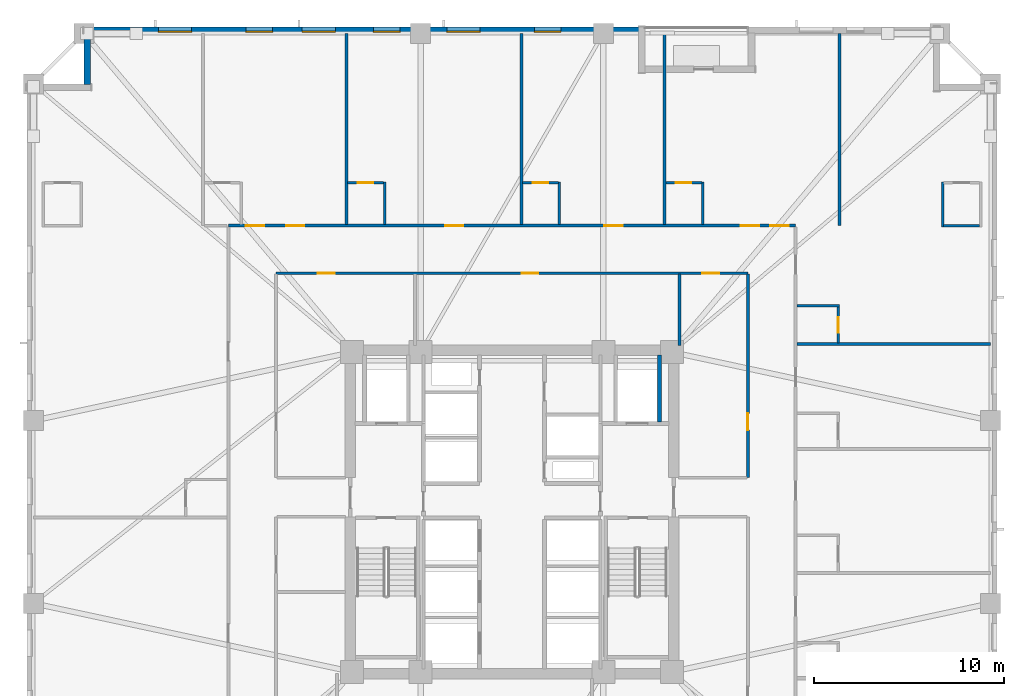
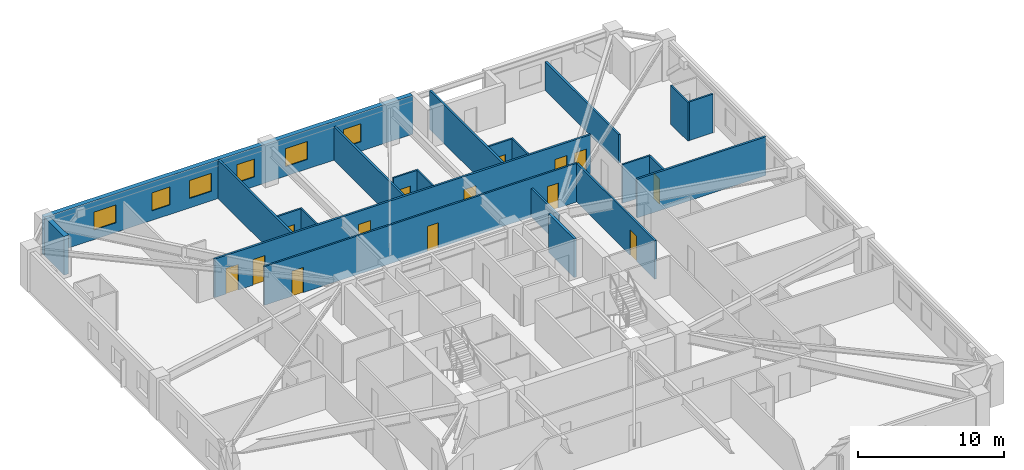
# One storey, part 6 of 11: 22 walls, 14 doors, 6 windows, 20 openings.
"""IFC4 building model written with IfcOpenShell, lengths in metres."""

from ifc_helpers import new_model, si_unit, direction, frame, frame_2d, origin, place, context, subcontext, project, spatial, rectangle, extrude, material, layer, layer_set, type_object, element, fill, save


model = new_model("IFC4")

# Units and contexts
model_context = context("Model", 3, precision=1e-05, world=origin(), true_north=direction((0.0, 1.0)))
body_context = subcontext(model_context, "Body", "Model", "MODEL_VIEW")
ifc_project = project(units=[si_unit("LENGTHUNIT", "METRE"), si_unit("AREAUNIT", "SQUARE_METRE"), si_unit("VOLUMEUNIT", "CUBIC_METRE"), si_unit("PLANEANGLEUNIT", "RADIAN"), si_unit("MASSUNIT", "GRAM", prefix="KILO")], contexts=[model_context])

# Site, building, storey
site_placement = place(None, origin())
site = spatial("IfcSite", under=ifc_project, at=site_placement, CompositionType="ELEMENT")
building_placement = place(site_placement, origin())
building = spatial("IfcBuilding", under=site, at=building_placement, Name="Cairnveth Concourse Tower", CompositionType="ELEMENT")
storey_placement = place(building_placement, frame((0.0, 0.0, 93.5)))
storey = spatial("IfcBuildingStorey", under=building, at=storey_placement, Name="L25", CompositionType="ELEMENT", Elevation=93.5)

# Wall, openings, doors
ifc_material_1 = material(Name="Gypsum Plasterboard Partition", Category="gypsum")
ifc_layer_1 = layer(ifc_material_1, 0.159912109375)
ifc_layer_set_1 = layer_set([ifc_layer_1], Name="Gypsum Plasterboard Partition")
wall_type_1 = type_object("IfcWallType", Name="ACOUSTIC PARTY WALL 180", PredefinedType="PARTITIONING", material=ifc_layer_set_1)
wall_1_placement = place(storey_placement, frame((37.10009765625, 54.050048828125, 0.0), z_axis=(0.0, 0.0, 1.0), x_axis=(1.0, 0.0, 0.0)))
wall_1 = element("IfcWall", 1, at=wall_1_placement, inside=storey, type_object=wall_type_1, Name="Interior Wall IW-L25-038", PredefinedType="PARTITIONING", context=body_context, shape_type="SweptSolid", body=[
    extrude(rectangle(XDim=29.7998046875, YDim=0.159912109375, at=frame_2d((14.89990234375, 0.0))), origin(), (0.0, 0.0, 1.0), 3.239990234375),
])
opening_1_placement = place(wall_1_placement, frame((0.909912109375, 0.0, 0.0)))
opening_1 = element("IfcOpeningElement", 2, at=opening_1_placement, cuts=wall_1, Name="Opening ID09", PredefinedType="OPENING", context=body_context, shape_type="SweptSolid", body=[
    extrude(rectangle(XDim=0.9599609375, YDim=2.14990234375, at=frame_2d((0.47998046875, 1.074951171875))), frame((0.0, 0.08984375, 0.0), z_axis=(0.0, -1.0, 0.0), x_axis=(1.0, 0.0, 0.0)), (0.0, 0.0, 1.0), 0.179931640625),
])
opening_2_placement = place(wall_1_placement, frame((3.030029296875, 0.0, 0.0)))
opening_2 = element("IfcOpeningElement", 3, at=opening_2_placement, cuts=wall_1, Name="Opening ID09", PredefinedType="OPENING", context=body_context, shape_type="SweptSolid", body=[
    extrude(rectangle(XDim=0.9599609375, YDim=2.14990234375, at=frame_2d((0.47998046875, 1.074951171875))), frame((0.0, 0.08984375, 0.0), z_axis=(0.0, -1.0, 0.0), x_axis=(1.0, 0.0, 0.0)), (0.0, 0.0, 1.0), 0.179931640625),
])
opening_3_placement = place(wall_1_placement, frame((11.389892578125, 0.0, 0.0)))
opening_3 = element("IfcOpeningElement", 4, at=opening_3_placement, cuts=wall_1, Name="Opening ID09", PredefinedType="OPENING", context=body_context, shape_type="SweptSolid", body=[
    extrude(rectangle(XDim=0.9599609375, YDim=2.14990234375, at=frame_2d((0.47998046875, 1.074951171875))), frame((0.0, 0.08984375, 0.0), z_axis=(0.0, -1.0, 0.0), x_axis=(1.0, 0.0, 0.0)), (0.0, 0.0, 1.0), 0.179931640625),
])
opening_4_placement = place(wall_1_placement, frame((19.75, 0.0, 0.0)))
opening_4 = element("IfcOpeningElement", 5, at=opening_4_placement, cuts=wall_1, Name="Opening ID09", PredefinedType="OPENING", context=body_context, shape_type="SweptSolid", body=[
    extrude(rectangle(XDim=0.9599609375, YDim=2.14990234375, at=frame_2d((0.47998046875, 1.074951171875))), frame((0.0, 0.08984375, 0.0), z_axis=(0.0, -1.0, 0.0), x_axis=(1.0, 0.0, 0.0)), (0.0, 0.0, 1.0), 0.179931640625),
])
opening_5_placement = place(wall_1_placement, frame((26.931396484375, 0.0, 0.0)))
opening_5 = element("IfcOpeningElement", 6, at=opening_5_placement, cuts=wall_1, Name="Opening ID09", PredefinedType="OPENING", context=body_context, shape_type="SweptSolid", body=[
    extrude(rectangle(XDim=0.9599609375, YDim=2.14990234375, at=frame_2d((0.47998046875, 1.074951171875))), frame((0.0, 0.08984375, 0.0), z_axis=(0.0, -1.0, 0.0), x_axis=(1.0, 0.0, 0.0)), (0.0, 0.0, 1.0), 0.179931640625),
])
opening_6_placement = place(wall_1_placement, frame((28.47998046875, 0.0, 0.0)))
opening_6 = element("IfcOpeningElement", 7, at=opening_6_placement, cuts=wall_1, Name="Opening ID09", PredefinedType="OPENING", context=body_context, shape_type="SweptSolid", body=[
    extrude(rectangle(XDim=0.9599609375, YDim=2.14990234375, at=frame_2d((0.47998046875, 1.074951171875))), frame((0.0, 0.08984375, 0.0), z_axis=(0.0, -1.0, 0.0), x_axis=(1.0, 0.0, 0.0)), (0.0, 0.0, 1.0), 0.179931640625),
])
ifc_material_2 = material(Name="Solid Core Hardwood Timber Leaf", Category="wood")
door_type_1 = type_object("IfcDoorType", Name="HOTEL ENTRANCE DOOR 960X2150", OperationType="NOTDEFINED", PredefinedType="DOOR", material=ifc_material_2)
door_1_placement = place(opening_1_placement, origin())
door_1 = element("IfcDoor", 8, at=door_1_placement, inside=storey, type_object=door_type_1, Name="Hotel Room Door L25-N1", OperationType="SINGLE_SWING_LEFT", OverallHeight=2.14990234375, OverallWidth=0.9599609375, PredefinedType="DOOR", context=body_context, shape_type="SweptSolid", body=[
    extrude(rectangle(XDim=0.9599609375, YDim=2.14990234375, at=frame_2d((0.47998046875, 1.074951171875))), frame((0.0, 0.02490234375, 0.0), z_axis=(0.0, -1.0, 0.0), x_axis=(1.0, 0.0, 0.0)), (0.0, 0.0, 1.0), 0.050048828125),
])
fill(opening_1, door_1)
door_2_placement = place(opening_2_placement, origin())
door_2 = element("IfcDoor", 9, at=door_2_placement, inside=storey, type_object=door_type_1, Name="Hotel Room Door L25-N2", OperationType="SINGLE_SWING_LEFT", OverallHeight=2.14990234375, OverallWidth=0.9599609375, PredefinedType="DOOR", context=body_context, shape_type="SweptSolid", body=[
    extrude(rectangle(XDim=0.9599609375, YDim=2.14990234375, at=frame_2d((0.47998046875, 1.074951171875))), frame((0.0, 0.02490234375, 0.0), z_axis=(0.0, -1.0, 0.0), x_axis=(1.0, 0.0, 0.0)), (0.0, 0.0, 1.0), 0.050048828125),
])
fill(opening_2, door_2)
door_3_placement = place(opening_3_placement, origin())
door_3 = element("IfcDoor", 10, at=door_3_placement, inside=storey, type_object=door_type_1, Name="Hotel Room Door L25-N3", OperationType="SINGLE_SWING_LEFT", OverallHeight=2.14990234375, OverallWidth=0.9599609375, PredefinedType="DOOR", context=body_context, shape_type="SweptSolid", body=[
    extrude(rectangle(XDim=0.9599609375, YDim=2.14990234375, at=frame_2d((0.47998046875, 1.074951171875))), frame((0.0, 0.02490234375, 0.0), z_axis=(0.0, -1.0, 0.0), x_axis=(1.0, 0.0, 0.0)), (0.0, 0.0, 1.0), 0.050048828125),
])
fill(opening_3, door_3)
door_4_placement = place(opening_4_placement, origin())
door_4 = element("IfcDoor", 11, at=door_4_placement, inside=storey, type_object=door_type_1, Name="Hotel Room Door L25-N4", OperationType="SINGLE_SWING_LEFT", OverallHeight=2.14990234375, OverallWidth=0.9599609375, PredefinedType="DOOR", context=body_context, shape_type="SweptSolid", body=[
    extrude(rectangle(XDim=0.9599609375, YDim=2.14990234375, at=frame_2d((0.47998046875, 1.074951171875))), frame((0.0, 0.02490234375, 0.0), z_axis=(0.0, -1.0, 0.0), x_axis=(1.0, 0.0, 0.0)), (0.0, 0.0, 1.0), 0.050048828125),
])
fill(opening_4, door_4)
door_5_placement = place(opening_5_placement, origin())
door_5 = element("IfcDoor", 12, at=door_5_placement, inside=storey, type_object=door_type_1, Name="Hotel Room Door L25-N5", OperationType="SINGLE_SWING_LEFT", OverallHeight=2.14990234375, OverallWidth=0.9599609375, PredefinedType="DOOR", context=body_context, shape_type="SweptSolid", body=[
    extrude(rectangle(XDim=0.9599609375, YDim=2.14990234375, at=frame_2d((0.47998046875, 1.074951171875))), frame((0.0, 0.02490234375, 0.0), z_axis=(0.0, -1.0, 0.0), x_axis=(1.0, 0.0, 0.0)), (0.0, 0.0, 1.0), 0.050048828125),
])
fill(opening_5, door_5)
door_6_placement = place(opening_6_placement, origin())
door_6 = element("IfcDoor", 13, at=door_6_placement, inside=storey, type_object=door_type_1, Name="Hotel Room Door L25-N6", OperationType="SINGLE_SWING_LEFT", OverallHeight=2.14990234375, OverallWidth=0.9599609375, PredefinedType="DOOR", context=body_context, shape_type="SweptSolid", body=[
    extrude(rectangle(XDim=0.9599609375, YDim=2.14990234375, at=frame_2d((0.47998046875, 1.074951171875))), frame((0.0, 0.02490234375, 0.0), z_axis=(0.0, -1.0, 0.0), x_axis=(1.0, 0.0, 0.0)), (0.0, 0.0, 1.0), 0.050048828125),
])
fill(opening_6, door_6)

# Walls
wall_2_placement = place(storey_placement, frame((43.302490234375, 54.114990234375, 0.0), z_axis=(0.0, 0.0, 1.0), x_axis=(0.0, 1.0, 0.0)))
element("IfcWall", 14, at=wall_2_placement, inside=storey, type_object=wall_type_1, Name="Interior Wall IW-L25-074", PredefinedType="PARTITIONING", context=body_context, shape_type="SweptSolid", body=[
    extrude(rectangle(XDim=10.0400390625, YDim=0.159912109375, at=frame_2d((5.02001953125, 0.0))), origin(), (0.0, 0.0, 1.0), 3.239990234375),
])
wall_3_placement = place(storey_placement, frame((52.487548828125, 54.114990234375, 0.0), z_axis=(0.0, 0.0, 1.0), x_axis=(0.0, 1.0, 0.0)))
element("IfcWall", 15, at=wall_3_placement, inside=storey, type_object=wall_type_1, Name="Interior Wall IW-L25-077", PredefinedType="PARTITIONING", context=body_context, shape_type="SweptSolid", body=[
    extrude(rectangle(XDim=10.0400390625, YDim=0.159912109375, at=frame_2d((5.02001953125, 0.0))), origin(), (0.0, 0.0, 1.0), 2.80908203125),
])
wall_4_placement = place(storey_placement, frame((60.0224609375, 54.114990234375, 0.0), z_axis=(0.0, 0.0, 1.0), x_axis=(0.0, 1.0, 0.0)))
element("IfcWall", 16, at=wall_4_placement, inside=storey, type_object=wall_type_1, Name="Interior Wall IW-L25-080", PredefinedType="PARTITIONING", context=body_context, shape_type="SweptSolid", body=[
    extrude(rectangle(XDim=9.969970703125, YDim=0.159912109375, at=frame_2d((4.98486328125, 0.0))), origin(), (0.0, 0.0, 1.0), 3.239990234375),
])
wall_5_placement = place(storey_placement, frame((69.20751953125, 54.050048828125, 0.0), z_axis=(0.0, 0.0, 1.0), x_axis=(0.0, 1.0, 0.0)))
element("IfcWall", 17, at=wall_5_placement, inside=storey, type_object=wall_type_1, Name="Interior Wall IW-L25-083", PredefinedType="PARTITIONING", context=body_context, shape_type="SweptSolid", body=[
    extrude(rectangle(XDim=10.10498046875, YDim=0.159912109375, at=frame_2d((5.052490234375, 0.0))), origin(), (0.0, 0.0, 1.0), 2.39892578125),
])
wall_6_placement = place(storey_placement, frame((66.965087890625, 47.827392578125, 0.0), z_axis=(0.0, 0.0, 1.0), x_axis=(1.0, 0.0, 0.0)))
element("IfcWall", 18, at=wall_6_placement, inside=storey, type_object=wall_type_1, Name="Interior Wall IW-L25-106", PredefinedType="PARTITIONING", context=body_context, shape_type="SweptSolid", body=[
    extrude(rectangle(XDim=10.18994140625, YDim=0.159912109375, at=frame_2d((5.094970703125, 0.0))), origin(), (0.0, 0.0, 1.0), 3.239990234375),
])
ifc_material_3 = material(Name="Concrete N50 (50 MPa)", Category="concrete")
ifc_layer_2 = layer(ifc_material_3, 0.199951171875)
ifc_layer_set_2 = layer_set([ifc_layer_2], Name="Concrete N50 (50 MPa)")
wall_type_2 = type_object("IfcWallType", Name="FIRE SHAFT WALL 200", PredefinedType="SOLIDWALL", material=ifc_layer_set_2)
wall_7_placement = place(storey_placement, frame((59.75, 43.735107421875, 0.0), z_axis=(0.0, 0.0, 1.0), x_axis=(0.0, 1.0, 0.0)))
element("IfcWall", 19, at=wall_7_placement, inside=storey, type_object=wall_type_2, Name="Interior Wall IW-L25-024", PredefinedType="SOLIDWALL", context=body_context, shape_type="SweptSolid", body=[
    extrude(rectangle(XDim=3.5048828125, YDim=0.199951171875, at=frame_2d((1.75244140625, 0.0))), origin(), (0.0, 0.0, 1.0), 3.239990234375),
])

# Wall, openings, doors
ifc_layer_3 = layer(ifc_material_1, 0.139892578125)
ifc_layer_set_3 = layer_set([ifc_layer_3], Name="Gypsum Plasterboard Partition")
wall_type_3 = type_object("IfcWallType", Name="GYPSUM STUD PARTITION 140", PredefinedType="PARTITIONING", material=ifc_layer_set_3)
wall_8_placement = place(storey_placement, frame((39.60009765625, 51.550048828125, 0.0), z_axis=(0.0, 0.0, 1.0), x_axis=(1.0, 0.0, 0.0)))
wall_8 = element("IfcWall", 20, at=wall_8_placement, inside=storey, type_object=wall_type_3, Name="Interior Wall IW-L25-042", PredefinedType="PARTITIONING", context=body_context, shape_type="SweptSolid", body=[
    extrude(rectangle(XDim=24.7998046875, YDim=0.139892578125, at=frame_2d((12.39990234375, 0.0))), origin(), (0.0, 0.0, 1.0), 3.239990234375),
])
opening_7_placement = place(wall_8_placement, frame((2.199951171875, 0.0, 0.0)))
opening_7 = element("IfcOpeningElement", 21, at=opening_7_placement, cuts=wall_8, Name="Opening ID18", PredefinedType="OPENING", context=body_context, shape_type="SweptSolid", body=[
    extrude(rectangle(XDim=0.8798828125, YDim=2.10009765625, at=frame_2d((0.43994140625, 1.050048828125))), frame((0.0, 0.079833984375, 0.0), z_axis=(0.0, -1.0, 0.0), x_axis=(1.0, 0.0, 0.0)), (0.0, 0.0, 1.0), 0.159912109375),
])
opening_8_placement = place(wall_8_placement, frame((12.89990234375, 0.0, 0.0)))
opening_8 = element("IfcOpeningElement", 22, at=opening_8_placement, cuts=wall_8, Name="Opening ID18", PredefinedType="OPENING", context=body_context, shape_type="SweptSolid", body=[
    extrude(rectangle(XDim=0.8798828125, YDim=2.10009765625, at=frame_2d((0.43994140625, 1.050048828125))), frame((0.0, 0.079833984375, 0.0), z_axis=(0.0, -1.0, 0.0), x_axis=(1.0, 0.0, 0.0)), (0.0, 0.0, 1.0), 0.159912109375),
])
opening_9_placement = place(wall_8_placement, frame((22.39990234375, 0.0, 0.0)))
opening_9 = element("IfcOpeningElement", 23, at=opening_9_placement, cuts=wall_8, Name="Opening ID18", PredefinedType="OPENING", context=body_context, shape_type="SweptSolid", body=[
    extrude(rectangle(XDim=0.8798828125, YDim=2.10009765625, at=frame_2d((0.43994140625, 1.050048828125))), frame((0.0, 0.079833984375, 0.0), z_axis=(0.0, -1.0, 0.0), x_axis=(1.0, 0.0, 0.0)), (0.0, 0.0, 1.0), 0.159912109375),
])
door_type_2 = type_object("IfcDoorType", Name="INTERIOR SINGLE DOOR 880X2100", OperationType="NOTDEFINED", PredefinedType="DOOR", material=ifc_material_2)
door_7_placement = place(opening_7_placement, origin())
door_7 = element("IfcDoor", 24, at=door_7_placement, inside=storey, type_object=door_type_2, Name="Interior Door DR-L25-016", OperationType="SINGLE_SWING_RIGHT", OverallHeight=2.10009765625, OverallWidth=0.8798828125, PredefinedType="DOOR", context=body_context, shape_type="SweptSolid", body=[
    extrude(rectangle(XDim=0.8798828125, YDim=2.10009765625, at=frame_2d((0.43994140625, 1.050048828125))), frame((0.0, 0.02490234375, 0.0), z_axis=(0.0, -1.0, 0.0), x_axis=(1.0, 0.0, 0.0)), (0.0, 0.0, 1.0), 0.050048828125),
])
fill(opening_7, door_7)
door_8_placement = place(opening_8_placement, origin())
door_8 = element("IfcDoor", 25, at=door_8_placement, inside=storey, type_object=door_type_2, Name="Interior Door DR-L25-017", OperationType="SINGLE_SWING_LEFT", OverallHeight=2.10009765625, OverallWidth=0.8798828125, PredefinedType="DOOR", context=body_context, shape_type="SweptSolid", body=[
    extrude(rectangle(XDim=0.8798828125, YDim=2.10009765625, at=frame_2d((0.43994140625, 1.050048828125))), frame((0.0, 0.02490234375, 0.0), z_axis=(0.0, -1.0, 0.0), x_axis=(1.0, 0.0, 0.0)), (0.0, 0.0, 1.0), 0.050048828125),
])
fill(opening_8, door_8)
door_9_placement = place(opening_9_placement, origin())
door_9 = element("IfcDoor", 26, at=door_9_placement, inside=storey, type_object=door_type_2, Name="Interior Door DR-L25-018", OperationType="SINGLE_SWING_RIGHT", OverallHeight=2.10009765625, OverallWidth=0.8798828125, PredefinedType="DOOR", context=body_context, shape_type="SweptSolid", body=[
    extrude(rectangle(XDim=0.8798828125, YDim=2.10009765625, at=frame_2d((0.43994140625, 1.050048828125))), frame((0.0, 0.02490234375, 0.0), z_axis=(0.0, -1.0, 0.0), x_axis=(1.0, 0.0, 0.0)), (0.0, 0.0, 1.0), 0.050048828125),
])
fill(opening_9, door_9)

# Wall, opening, door
wall_9_placement = place(storey_placement, frame((64.39990234375, 40.800048828125, 0.0), z_axis=(0.0, 0.0, 1.0), x_axis=(0.0, 1.0, 0.0)))
wall_9 = element("IfcWall", 27, at=wall_9_placement, inside=storey, type_object=wall_type_3, Name="Interior Wall IW-L25-048", PredefinedType="PARTITIONING", context=body_context, shape_type="SweptSolid", body=[
    extrude(rectangle(XDim=10.695068359375, YDim=0.139892578125, at=frame_2d((5.34765625, 0.0))), origin(), (0.0, 0.0, 1.0), 3.239990234375),
])
opening_10_placement = place(wall_9_placement, frame((2.5, 0.0, 0.0)))
opening_10 = element("IfcOpeningElement", 28, at=opening_10_placement, cuts=wall_9, Name="Opening ID18", PredefinedType="OPENING", context=body_context, shape_type="SweptSolid", body=[
    extrude(rectangle(XDim=0.8798828125, YDim=2.10009765625, at=frame_2d((0.43994140625, 1.050048828125))), frame((0.0, 0.079833984375, 0.0), z_axis=(0.0, -1.0, 0.0), x_axis=(1.0, 0.0, 0.0)), (0.0, 0.0, 1.0), 0.159912109375),
])
door_10_placement = place(opening_10_placement, origin())
door_10 = element("IfcDoor", 29, at=door_10_placement, inside=storey, type_object=door_type_2, Name="Interior Door DR-L25-023", OperationType="SINGLE_SWING_LEFT", OverallHeight=2.10009765625, OverallWidth=0.8798828125, PredefinedType="DOOR", context=body_context, shape_type="SweptSolid", body=[
    extrude(rectangle(XDim=0.8798828125, YDim=2.10009765625, at=frame_2d((0.43994140625, 1.050048828125))), frame((0.0, 0.02490234375, 0.0), z_axis=(0.0, -1.0, 0.0), x_axis=(1.0, 0.0, 0.0)), (0.0, 0.0, 1.0), 0.050048828125),
])
fill(opening_10, door_10)

# Walls
wall_10_placement = place(storey_placement, frame((60.800048828125, 47.760009765625, 0.0), z_axis=(0.0, 0.0, 1.0), x_axis=(0.0, 1.0, 0.0)))
element("IfcWall", 30, at=wall_10_placement, inside=storey, type_object=wall_type_3, Name="Interior Wall IW-L25-054", PredefinedType="PARTITIONING", context=body_context, shape_type="SweptSolid", body=[
    extrude(rectangle(XDim=3.735107421875, YDim=0.139892578125, at=frame_2d((1.86767578125, 0.0))), origin(), (0.0, 0.0, 1.0), 2.39892578125),
])
ifc_layer_4 = layer(ifc_material_1, 0.1298828125)
ifc_layer_set_4 = layer_set([ifc_layer_4], Name="Gypsum Plasterboard Partition")
wall_type_4 = type_object("IfcWallType", Name="WET AREA PARTITION 140", PredefinedType="PLUMBINGWALL", material=ifc_layer_set_4)
wall_11_placement = place(storey_placement, frame((45.302490234375, 54.114990234375, 0.0), z_axis=(0.0, 0.0, 1.0), x_axis=(0.0, 1.0, 0.0)))
element("IfcWall", 31, at=wall_11_placement, inside=storey, type_object=wall_type_4, Name="Interior Wall IW-L25-075", PredefinedType="PLUMBINGWALL", context=body_context, shape_type="SweptSolid", body=[
    extrude(rectangle(XDim=2.235107421875, YDim=0.1298828125, at=frame_2d((1.11767578125, 0.0))), origin(), (0.0, 0.0, 1.0), 3.239990234375),
])

# Wall, opening, door
wall_12_placement = place(storey_placement, frame((43.367431640625, 56.300048828125, 0.0), z_axis=(0.0, 0.0, 1.0), x_axis=(1.0, 0.0, 0.0)))
wall_12 = element("IfcWall", 32, at=wall_12_placement, inside=storey, type_object=wall_type_4, Name="Interior Wall IW-L25-076", PredefinedType="PLUMBINGWALL", context=body_context, shape_type="SweptSolid", body=[
    extrude(rectangle(XDim=1.885009765625, YDim=0.1298828125, at=frame_2d((0.9423828125, 0.0))), origin(), (0.0, 0.0, 1.0), 3.239990234375),
])
opening_11_placement = place(wall_12_placement, frame((0.52490234375, 0.0, 0.0)))
opening_11 = element("IfcOpeningElement", 33, at=opening_11_placement, cuts=wall_12, Name="Opening ID22", PredefinedType="OPENING", context=body_context, shape_type="SweptSolid", body=[
    extrude(rectangle(XDim=0.820068359375, YDim=2.10009765625, at=frame_2d((0.41015625, 1.050048828125))), frame((0.0, 0.074951171875, 0.0), z_axis=(0.0, -1.0, 0.0), x_axis=(1.0, 0.0, 0.0)), (0.0, 0.0, 1.0), 0.14990234375),
])
door_type_3 = type_object("IfcDoorType", Name="INTERIOR WC DOOR 820X2100", OperationType="NOTDEFINED", PredefinedType="DOOR", material=ifc_material_2)
door_11_placement = place(opening_11_placement, origin())
door_11 = element("IfcDoor", 34, at=door_11_placement, inside=storey, type_object=door_type_3, Name="En-Suite Door L25-N3", OperationType="SINGLE_SWING_RIGHT", OverallHeight=2.10009765625, OverallWidth=0.820068359375, PredefinedType="DOOR", context=body_context, shape_type="SweptSolid", body=[
    extrude(rectangle(XDim=0.820068359375, YDim=2.10009765625, at=frame_2d((0.41015625, 1.050048828125))), frame((0.0, 0.02490234375, 0.0), z_axis=(0.0, -1.0, 0.0), x_axis=(1.0, 0.0, 0.0)), (0.0, 0.0, 1.0), 0.050048828125),
])
fill(opening_11, door_11)

# Wall
wall_13_placement = place(storey_placement, frame((54.487548828125, 54.114990234375, 0.0), z_axis=(0.0, 0.0, 1.0), x_axis=(0.0, 1.0, 0.0)))
element("IfcWall", 35, at=wall_13_placement, inside=storey, type_object=wall_type_4, Name="Interior Wall IW-L25-078", PredefinedType="PLUMBINGWALL", context=body_context, shape_type="SweptSolid", body=[
    extrude(rectangle(XDim=2.235107421875, YDim=0.1298828125, at=frame_2d((1.11767578125, 0.0))), origin(), (0.0, 0.0, 1.0), 3.239990234375),
])

# Wall, opening, door
wall_14_placement = place(storey_placement, frame((52.552490234375, 56.300048828125, 0.0), z_axis=(0.0, 0.0, 1.0), x_axis=(1.0, 0.0, 0.0)))
wall_14 = element("IfcWall", 36, at=wall_14_placement, inside=storey, type_object=wall_type_4, Name="Interior Wall IW-L25-079", PredefinedType="PLUMBINGWALL", context=body_context, shape_type="SweptSolid", body=[
    extrude(rectangle(XDim=1.885009765625, YDim=0.1298828125, at=frame_2d((0.9423828125, 0.0))), origin(), (0.0, 0.0, 1.0), 3.239990234375),
])
opening_12_placement = place(wall_14_placement, frame((0.52490234375, 0.0, 0.0)))
opening_12 = element("IfcOpeningElement", 37, at=opening_12_placement, cuts=wall_14, Name="Opening ID22", PredefinedType="OPENING", context=body_context, shape_type="SweptSolid", body=[
    extrude(rectangle(XDim=0.820068359375, YDim=2.10009765625, at=frame_2d((0.41015625, 1.050048828125))), frame((0.0, 0.074951171875, 0.0), z_axis=(0.0, -1.0, 0.0), x_axis=(1.0, 0.0, 0.0)), (0.0, 0.0, 1.0), 0.14990234375),
])
door_12_placement = place(opening_12_placement, origin())
door_12 = element("IfcDoor", 38, at=door_12_placement, inside=storey, type_object=door_type_3, Name="En-Suite Door L25-N4", OperationType="SINGLE_SWING_RIGHT", OverallHeight=2.10009765625, OverallWidth=0.820068359375, PredefinedType="DOOR", context=body_context, shape_type="SweptSolid", body=[
    extrude(rectangle(XDim=0.820068359375, YDim=2.10009765625, at=frame_2d((0.41015625, 1.050048828125))), frame((0.0, 0.02490234375, 0.0), z_axis=(0.0, -1.0, 0.0), x_axis=(1.0, 0.0, 0.0)), (0.0, 0.0, 1.0), 0.050048828125),
])
fill(opening_12, door_12)

# Wall
wall_15_placement = place(storey_placement, frame((62.0224609375, 54.114990234375, 0.0), z_axis=(0.0, 0.0, 1.0), x_axis=(0.0, 1.0, 0.0)))
element("IfcWall", 39, at=wall_15_placement, inside=storey, type_object=wall_type_4, Name="Interior Wall IW-L25-081", PredefinedType="PLUMBINGWALL", context=body_context, shape_type="SweptSolid", body=[
    extrude(rectangle(XDim=2.235107421875, YDim=0.1298828125, at=frame_2d((1.11767578125, 0.0))), origin(), (0.0, 0.0, 1.0), 3.239990234375),
])

# Wall, opening, door
wall_16_placement = place(storey_placement, frame((60.08740234375, 56.300048828125, 0.0), z_axis=(0.0, 0.0, 1.0), x_axis=(1.0, 0.0, 0.0)))
wall_16 = element("IfcWall", 40, at=wall_16_placement, inside=storey, type_object=wall_type_4, Name="Interior Wall IW-L25-082", PredefinedType="PLUMBINGWALL", context=body_context, shape_type="SweptSolid", body=[
    extrude(rectangle(XDim=1.885009765625, YDim=0.1298828125, at=frame_2d((0.9423828125, 0.0))), origin(), (0.0, 0.0, 1.0), 3.239990234375),
])
opening_13_placement = place(wall_16_placement, frame((0.52490234375, 0.0, 0.0)))
opening_13 = element("IfcOpeningElement", 41, at=opening_13_placement, cuts=wall_16, Name="Opening ID22", PredefinedType="OPENING", context=body_context, shape_type="SweptSolid", body=[
    extrude(rectangle(XDim=0.820068359375, YDim=2.10009765625, at=frame_2d((0.41015625, 1.050048828125))), frame((0.0, 0.074951171875, 0.0), z_axis=(0.0, -1.0, 0.0), x_axis=(1.0, 0.0, 0.0)), (0.0, 0.0, 1.0), 0.14990234375),
])
door_13_placement = place(opening_13_placement, origin())
door_13 = element("IfcDoor", 42, at=door_13_placement, inside=storey, type_object=door_type_3, Name="En-Suite Door L25-N5", OperationType="SINGLE_SWING_RIGHT", OverallHeight=2.10009765625, OverallWidth=0.820068359375, PredefinedType="DOOR", context=body_context, shape_type="SweptSolid", body=[
    extrude(rectangle(XDim=0.820068359375, YDim=2.10009765625, at=frame_2d((0.41015625, 1.050048828125))), frame((0.0, 0.02490234375, 0.0), z_axis=(0.0, -1.0, 0.0), x_axis=(1.0, 0.0, 0.0)), (0.0, 0.0, 1.0), 0.050048828125),
])
fill(opening_13, door_13)

# Walls
wall_17_placement = place(storey_placement, frame((74.6298828125, 53.969970703125, 0.0), z_axis=(0.0, 0.0, 1.0), x_axis=(0.0, 1.0, 0.0)))
element("IfcWall", 43, at=wall_17_placement, inside=storey, type_object=wall_type_4, Name="Interior Wall IW-L25-085", PredefinedType="PLUMBINGWALL", context=body_context, shape_type="SweptSolid", body=[
    extrude(rectangle(XDim=2.380126953125, YDim=0.1298828125, at=frame_2d((1.18994140625, 0.0))), origin(), (0.0, 0.0, 1.0), 3.239990234375),
])
wall_18_placement = place(storey_placement, frame((74.679931640625, 54.050048828125, 0.0), z_axis=(0.0, 0.0, 1.0), x_axis=(1.0, 0.0, 0.0)))
element("IfcWall", 44, at=wall_18_placement, inside=storey, type_object=wall_type_4, Name="Interior Wall IW-L25-087", PredefinedType="PLUMBINGWALL", context=body_context, shape_type="SweptSolid", body=[
    extrude(rectangle(XDim=1.900146484375, YDim=0.1298828125, at=frame_2d((0.9501953125, 0.0))), origin(), (0.0, 0.0, 1.0), 3.239990234375),
])
wall_19_placement = place(storey_placement, frame((66.965087890625, 49.827392578125, 0.0), z_axis=(0.0, 0.0, 1.0), x_axis=(1.0, 0.0, 0.0)))
element("IfcWall", 45, at=wall_19_placement, inside=storey, type_object=wall_type_4, Name="Interior Wall IW-L25-107", PredefinedType="PLUMBINGWALL", context=body_context, shape_type="SweptSolid", body=[
    extrude(rectangle(XDim=2.23486328125, YDim=0.1298828125, at=frame_2d((1.117431640625, 0.0))), origin(), (0.0, 0.0, 1.0), 3.239990234375),
])

# Wall, opening, door
wall_20_placement = place(storey_placement, frame((69.14990234375, 47.892578125, 0.0), z_axis=(0.0, 0.0, 1.0), x_axis=(0.0, 1.0, 0.0)))
wall_20 = element("IfcWall", 46, at=wall_20_placement, inside=storey, type_object=wall_type_4, Name="Interior Wall IW-L25-108", PredefinedType="PLUMBINGWALL", context=body_context, shape_type="SweptSolid", body=[
    extrude(rectangle(XDim=1.885009765625, YDim=0.1298828125, at=frame_2d((0.9423828125, 0.0))), origin(), (0.0, 0.0, 1.0), 3.239990234375),
])
opening_14_placement = place(wall_20_placement, frame((0.52490234375, 0.0, 0.0)))
opening_14 = element("IfcOpeningElement", 47, at=opening_14_placement, cuts=wall_20, Name="Opening ID22", PredefinedType="OPENING", context=body_context, shape_type="SweptSolid", body=[
    extrude(rectangle(XDim=0.820068359375, YDim=2.10009765625, at=frame_2d((0.41015625, 1.050048828125))), frame((0.0, 0.074951171875, 0.0), z_axis=(0.0, -1.0, 0.0), x_axis=(1.0, 0.0, 0.0)), (0.0, 0.0, 1.0), 0.14990234375),
])
door_14_placement = place(opening_14_placement, origin())
door_14 = element("IfcDoor", 48, at=door_14_placement, inside=storey, type_object=door_type_3, Name="En-Suite Door L25-E5", OperationType="SINGLE_SWING_RIGHT", OverallHeight=2.10009765625, OverallWidth=0.820068359375, PredefinedType="DOOR", context=body_context, shape_type="SweptSolid", body=[
    extrude(rectangle(XDim=0.820068359375, YDim=2.10009765625, at=frame_2d((0.41015625, 1.050048828125))), frame((0.0, 0.02490234375, 0.0), z_axis=(0.0, -1.0, 0.0), x_axis=(1.0, 0.0, 0.0)), (0.0, 0.0, 1.0), 0.050048828125),
])
fill(opening_14, door_14)

# Wall
ifc_material_4 = material(Name="Hawthorn Red-Ochre Fired Clay Brick Masonry", Category="masonry")
ifc_layer_5 = layer(ifc_material_4, 0.360107421875)
ifc_layer_set_5 = layer_set([ifc_layer_5], Name="Hawthorn Red-Ochre Fired Clay Brick Masonry")
wall_type_5 = type_object("IfcWallType", Name="ZONE 1 BRICK PIER SPANDREL WALL 360", PredefinedType="SOLIDWALL", material=ifc_layer_set_5)
wall_21_placement = place(storey_placement, frame((29.679931640625, 61.47802734375, 0.0), z_axis=(0.0, 0.0, 1.0), x_axis=(0.0, 1.0, 0.0)))
element("IfcWall", 49, at=wall_21_placement, inside=storey, type_object=wall_type_5, Name="Exterior Wall EW-L25-S11", PredefinedType="SOLIDWALL", context=body_context, shape_type="SweptSolid", body=[
    extrude(rectangle(XDim=2.68408203125, YDim=0.360107421875, at=frame_2d((1.342041015625, 0.0))), origin(), (0.0, 0.0, 1.0), 3.239990234375),
])

# Wall, openings, windows
wall_22_placement = place(storey_placement, frame((29.5, 64.320068359375, 0.0), z_axis=(0.0, 0.0, 1.0), x_axis=(1.0, 0.0, 0.0)))
wall_22 = element("IfcWall", 50, at=wall_22_placement, inside=storey, type_object=wall_type_5, Name="Exterior Wall EW-L25-S12", PredefinedType="SOLIDWALL", context=body_context, shape_type="SweptSolid", body=[
    extrude(rectangle(XDim=29.162109375, YDim=0.360107421875, at=frame_2d((14.5810546875, 0.0))), origin(), (0.0, 0.0, 1.0), 3.239990234375),
])
opening_15_placement = place(wall_22_placement, frame((3.91357421875, 0.0, 0.800048828125)))
opening_15 = element("IfcOpeningElement", 51, at=opening_15_placement, cuts=wall_22, Name="Opening W06", PredefinedType="OPENING", context=body_context, shape_type="SweptSolid", body=[
    extrude(rectangle(XDim=1.75, YDim=1.50390625, at=frame_2d((0.875, 0.751953125))), frame((0.0, 0.18994140625, 0.0), z_axis=(0.0, -1.0, 0.0), x_axis=(1.0, 0.0, 0.0)), (0.0, 0.0, 1.0), 0.380126953125),
])
opening_16_placement = place(wall_22_placement, frame((8.515380859375, 0.0, 0.800048828125)))
opening_16 = element("IfcOpeningElement", 52, at=opening_16_placement, cuts=wall_22, Name="Opening W05", PredefinedType="OPENING", context=body_context, shape_type="SweptSolid", body=[
    extrude(rectangle(XDim=1.39990234375, YDim=1.50390625, at=frame_2d((0.699951171875, 0.751953125))), frame((0.0, 0.18994140625, 0.0), z_axis=(0.0, -1.0, 0.0), x_axis=(1.0, 0.0, 0.0)), (0.0, 0.0, 1.0), 0.380126953125),
])
opening_17_placement = place(wall_22_placement, frame((11.467529296875, 0.0, 0.800048828125)))
opening_17 = element("IfcOpeningElement", 53, at=opening_17_placement, cuts=wall_22, Name="Opening W06", PredefinedType="OPENING", context=body_context, shape_type="SweptSolid", body=[
    extrude(rectangle(XDim=1.75, YDim=1.50390625, at=frame_2d((0.875, 0.751953125))), frame((0.0, 0.18994140625, 0.0), z_axis=(0.0, -1.0, 0.0), x_axis=(1.0, 0.0, 0.0)), (0.0, 0.0, 1.0), 0.380126953125),
])
opening_18_placement = place(wall_22_placement, frame((15.219482421875, 0.0, 0.800048828125)))
opening_18 = element("IfcOpeningElement", 54, at=opening_18_placement, cuts=wall_22, Name="Opening W05", PredefinedType="OPENING", context=body_context, shape_type="SweptSolid", body=[
    extrude(rectangle(XDim=1.39990234375, YDim=1.50390625, at=frame_2d((0.699951171875, 0.751953125))), frame((0.0, 0.18994140625, 0.0), z_axis=(0.0, -1.0, 0.0), x_axis=(1.0, 0.0, 0.0)), (0.0, 0.0, 1.0), 0.380126953125),
])
opening_19_placement = place(wall_22_placement, frame((19.071533203125, 0.0, 0.800048828125)))
opening_19 = element("IfcOpeningElement", 55, at=opening_19_placement, cuts=wall_22, Name="Opening W06", PredefinedType="OPENING", context=body_context, shape_type="SweptSolid", body=[
    extrude(rectangle(XDim=1.75, YDim=1.50390625, at=frame_2d((0.875, 0.751953125))), frame((0.0, 0.18994140625, 0.0), z_axis=(0.0, -1.0, 0.0), x_axis=(1.0, 0.0, 0.0)), (0.0, 0.0, 1.0), 0.380126953125),
])
opening_20_placement = place(wall_22_placement, frame((23.673583984375, 0.0, 0.800048828125)))
opening_20 = element("IfcOpeningElement", 56, at=opening_20_placement, cuts=wall_22, Name="Opening W05", PredefinedType="OPENING", context=body_context, shape_type="SweptSolid", body=[
    extrude(rectangle(XDim=1.39990234375, YDim=1.50390625, at=frame_2d((0.699951171875, 0.751953125))), frame((0.0, 0.18994140625, 0.0), z_axis=(0.0, -1.0, 0.0), x_axis=(1.0, 0.0, 0.0)), (0.0, 0.0, 1.0), 0.380126953125),
])
ifc_material_5 = material(Name="Double Glazed Low-E Clear Glass", Category="glass")
window_type_1 = type_object("IfcWindowType", Name="DEEP-SET HOTEL CASEMENT WINDOW 1400X1750", PartitioningType="DOUBLE_PANEL_VERTICAL", PredefinedType="WINDOW", material=ifc_material_5)
window_1_placement = place(opening_16_placement, origin())
window_1 = element("IfcWindow", 57, at=window_1_placement, inside=storey, type_object=window_type_1, Name="Gothic Lancet Window L25-12-2", OverallHeight=1.50390625, OverallWidth=1.39990234375, PartitioningType="SINGLE_PANEL", PredefinedType="WINDOW", context=body_context, shape_type="SweptSolid", body=[
    extrude(rectangle(XDim=1.39990234375, YDim=1.50390625, at=frame_2d((0.699951171875, 0.751953125))), frame((0.0, -0.050048828125, 0.0), z_axis=(0.0, -1.0, 0.0), x_axis=(1.0, 0.0, 0.0)), (0.0, 0.0, 1.0), 0.06005859375),
])
fill(opening_16, window_1)
window_2_placement = place(opening_18_placement, origin())
window_2 = element("IfcWindow", 58, at=window_2_placement, inside=storey, type_object=window_type_1, Name="Gothic Lancet Window L25-12-4", OverallHeight=1.50390625, OverallWidth=1.39990234375, PartitioningType="SINGLE_PANEL", PredefinedType="WINDOW", context=body_context, shape_type="SweptSolid", body=[
    extrude(rectangle(XDim=1.39990234375, YDim=1.50390625, at=frame_2d((0.699951171875, 0.751953125))), frame((0.0, -0.050048828125, 0.0), z_axis=(0.0, -1.0, 0.0), x_axis=(1.0, 0.0, 0.0)), (0.0, 0.0, 1.0), 0.06005859375),
])
fill(opening_18, window_2)
window_3_placement = place(opening_20_placement, origin())
window_3 = element("IfcWindow", 59, at=window_3_placement, inside=storey, type_object=window_type_1, Name="Gothic Lancet Window L25-12-6", OverallHeight=1.50390625, OverallWidth=1.39990234375, PartitioningType="SINGLE_PANEL", PredefinedType="WINDOW", context=body_context, shape_type="SweptSolid", body=[
    extrude(rectangle(XDim=1.39990234375, YDim=1.50390625, at=frame_2d((0.699951171875, 0.751953125))), frame((0.0, -0.050048828125, 0.0), z_axis=(0.0, -1.0, 0.0), x_axis=(1.0, 0.0, 0.0)), (0.0, 0.0, 1.0), 0.06005859375),
])
fill(opening_20, window_3)
window_type_2 = type_object("IfcWindowType", Name="DEEP-SET HOTEL SUITE WINDOW 1750X1800", PartitioningType="DOUBLE_PANEL_VERTICAL", PredefinedType="WINDOW", material=ifc_material_5)
window_4_placement = place(opening_15_placement, origin())
window_4 = element("IfcWindow", 60, at=window_4_placement, inside=storey, type_object=window_type_2, Name="Gothic Lancet Window L25-12-1", OverallHeight=1.50390625, OverallWidth=1.75, PartitioningType="SINGLE_PANEL", PredefinedType="WINDOW", context=body_context, shape_type="SweptSolid", body=[
    extrude(rectangle(XDim=1.75, YDim=1.50390625, at=frame_2d((0.875, 0.751953125))), frame((0.0, -0.050048828125, 0.0), z_axis=(0.0, -1.0, 0.0), x_axis=(1.0, 0.0, 0.0)), (0.0, 0.0, 1.0), 0.06005859375),
])
fill(opening_15, window_4)
window_5_placement = place(opening_17_placement, origin())
window_5 = element("IfcWindow", 61, at=window_5_placement, inside=storey, type_object=window_type_2, Name="Gothic Lancet Window L25-12-3", OverallHeight=1.50390625, OverallWidth=1.75, PartitioningType="SINGLE_PANEL", PredefinedType="WINDOW", context=body_context, shape_type="SweptSolid", body=[
    extrude(rectangle(XDim=1.75, YDim=1.50390625, at=frame_2d((0.875, 0.751953125))), frame((0.0, -0.050048828125, 0.0), z_axis=(0.0, -1.0, 0.0), x_axis=(1.0, 0.0, 0.0)), (0.0, 0.0, 1.0), 0.06005859375),
])
fill(opening_17, window_5)
window_6_placement = place(opening_19_placement, origin())
window_6 = element("IfcWindow", 62, at=window_6_placement, inside=storey, type_object=window_type_2, Name="Gothic Lancet Window L25-12-5", OverallHeight=1.50390625, OverallWidth=1.75, PartitioningType="SINGLE_PANEL", PredefinedType="WINDOW", context=body_context, shape_type="SweptSolid", body=[
    extrude(rectangle(XDim=1.75, YDim=1.50390625, at=frame_2d((0.875, 0.751953125))), frame((0.0, -0.050048828125, 0.0), z_axis=(0.0, -1.0, 0.0), x_axis=(1.0, 0.0, 0.0)), (0.0, 0.0, 1.0), 0.06005859375),
])
fill(opening_19, window_6)

save(model, "model.ifc")
